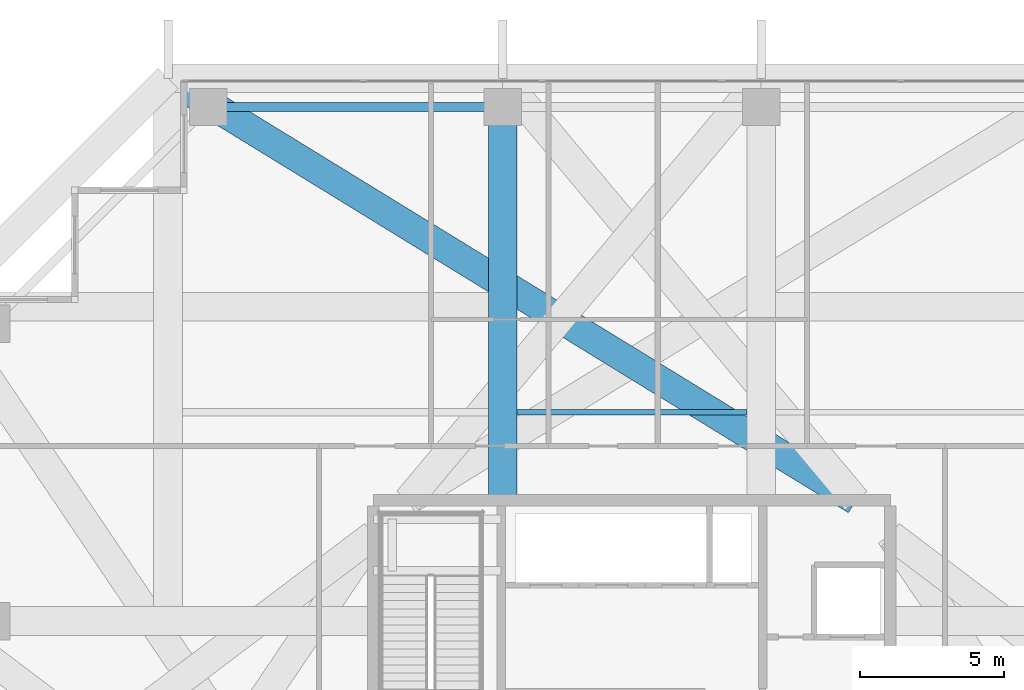
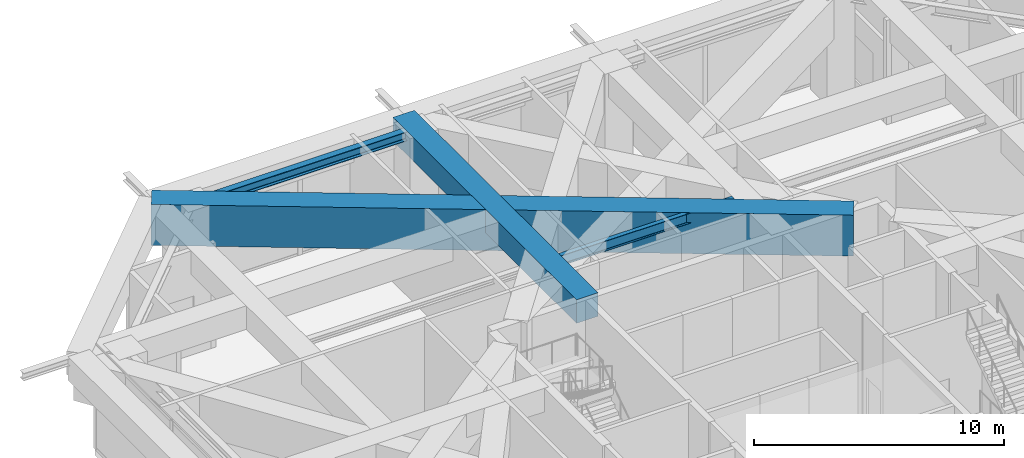
# One storey, part 21 of 38: 4 beams.
"""IFC4 building model written with IfcOpenShell, lengths in metres."""

import ifcopenshell
import ifcopenshell.guid

model = None  # the IFC model being written
_history = None  # IfcOwnerHistory: only IFC2X3 demands one
_inside = {}  # id of a spatial element -> (the spatial element, [elements in it])
_under = {}  # id of a project, library or spatial element -> (it, [spatial elements below it])
_declared = {}  # id of a project -> (the project, [libraries it declares])
_typed = {}  # id of a type object -> (the type object, [elements of that type])
_made_of = {}  # id of a material, layer set ... -> (it, [elements and type objects made of it])


def new_model(schema):
    """Start an empty IFC model of exactly this schema.

    Asked for "IFC4X3", IfcOpenShell would pick the latest addendum, in which some entities
    have other attributes; the version numbers below select the first issue.
    IFC2X3 requires an IfcOwnerHistory on every rooted entity: one is made here for all.
    """
    global model, _history
    if schema == "IFC4X3":
        model = ifcopenshell.file(schema_version=(4, 3, 0, 0))
    else:
        model = ifcopenshell.file(schema=schema)
    _inside.clear()
    _under.clear()
    _declared.clear()
    _typed.clear()
    _made_of.clear()
    _history = None
    if model.schema == "IFC2X3":
        org = make("IfcOrganization", Name="unknown")
        user = make(
            "IfcPersonAndOrganization",
            ThePerson=make("IfcPerson", FamilyName="unknown"),
            TheOrganization=org,
        )
        app = make(
            "IfcApplication",
            ApplicationDeveloper=org,
            Version="unknown",
            ApplicationFullName="unknown",
            ApplicationIdentifier="unknown",
        )
        _history = make(
            "IfcOwnerHistory",
            OwningUser=user,
            OwningApplication=app,
            ChangeAction="ADDED",
            CreationDate=0,
        )
    return model


def make(cls, **values):
    """One entity of the class cls with the attributes given. An attribute that is None is left unset."""
    return model.create_entity(
        cls, **{name: value for name, value in values.items() if value is not None}
    )


def rooted(cls, **values):
    """An entity with a GlobalId (a new one), such as an element, a storey or a relation."""
    return make(cls, GlobalId=ifcopenshell.guid.new(), OwnerHistory=_history, **values)


def si_unit(unit_type, name, prefix=None):
    """IfcSIUnit, for example si_unit("LENGTHUNIT", "METRE", prefix="MILLI")."""
    return make("IfcSIUnit", UnitType=unit_type, Prefix=prefix, Name=name)


def assignment(units):
    """IfcUnitAssignment: the units of a project."""
    return None if units is None else make("IfcUnitAssignment", Units=units)


def point(xyz):
    """IfcCartesianPoint."""
    return None if xyz is None else make("IfcCartesianPoint", Coordinates=xyz)


def direction(xyz):
    """IfcDirection."""
    return None if xyz is None else make("IfcDirection", DirectionRatios=xyz)


def frame(location, z_axis=None, x_axis=None):
    """IfcAxis2Placement3D, a coordinate frame: its origin and axes. An axis left out is left unset."""
    return make(
        "IfcAxis2Placement3D",
        Location=point(location),
        Axis=direction(z_axis),
        RefDirection=direction(x_axis),
    )


def frame_2d(location, x_axis=None):
    """IfcAxis2Placement2D, a coordinate frame in the plane: its origin and x axis."""
    return make(
        "IfcAxis2Placement2D", Location=point(location), RefDirection=direction(x_axis)
    )


def origin():
    """The frame at (0, 0, 0) with its axes left unset."""
    return frame((0.0, 0.0, 0.0))


def origin_2d():
    """The frame at (0, 0) in the plane with its x axis left unset."""
    return frame_2d((0.0, 0.0))


def place(relative_to, where):
    """IfcLocalPlacement: puts the frame where relative to a parent placement (None: the world)."""
    return make(
        "IfcLocalPlacement", PlacementRelTo=relative_to, RelativePlacement=where
    )


def context(
    kind, dimensions, precision=None, world=None, true_north=None, identifier=None
):
    """IfcGeometricRepresentationContext, for example the 3D "Model" context."""
    return make(
        "IfcGeometricRepresentationContext",
        ContextIdentifier=identifier,
        ContextType=kind,
        CoordinateSpaceDimension=dimensions,
        Precision=precision,
        WorldCoordinateSystem=world,
        TrueNorth=true_north,
    )


def subcontext(parent, identifier, kind, view, scale=None):
    """IfcGeometricRepresentationSubContext, for example "Body" below "Model"."""
    return make(
        "IfcGeometricRepresentationSubContext",
        ContextIdentifier=identifier,
        ContextType=kind,
        ParentContext=parent,
        TargetScale=scale,
        TargetView=view,
    )


def project(units=None, contexts=None):
    """IfcProject with its units and contexts."""
    return rooted(
        "IfcProject",
        Name="project",
        RepresentationContexts=contexts,
        UnitsInContext=assignment(units),
    )


def spatial(cls, under=None, at=None, **own):
    """A site, building, storey or space (cls), placed at a placement, below another one or the project."""
    s = rooted(cls, ObjectPlacement=at, **own)
    if under is not None:
        _under.setdefault(under.id(), (under, []))[1].append(s)
    return s


def profile(cls, at=None, kind="AREA", **sizes):
    """A parametric profile (cls). Its sizes go by their IFC names, for example OverallWidth=200.0."""
    return make(cls, ProfileType=kind, Position=at, **sizes)


def rectangle(**sizes):
    """IfcRectangleProfileDef."""
    return profile("IfcRectangleProfileDef", **sizes)


def i_section(**sizes):
    """IfcIShapeProfileDef."""
    return profile("IfcIShapeProfileDef", **sizes)


def extrude(swept, where, along, depth):
    """IfcExtrudedAreaSolid: the profile swept, set in the frame where, extruded along a direction by depth."""
    return make(
        "IfcExtrudedAreaSolid",
        SweptArea=swept,
        Position=where,
        ExtrudedDirection=direction(along),
        Depth=depth,
    )


def shape(context_of_items, identifier, shape_type, items):
    """IfcShapeRepresentation: the items that make up one representation, for example the "Body"."""
    return make(
        "IfcShapeRepresentation",
        ContextOfItems=context_of_items,
        RepresentationIdentifier=identifier,
        RepresentationType=shape_type,
        Items=items,
    )


def source(mapping_origin, context_of_items, identifier, shape_type, items):
    """IfcRepresentationMap: a shape defined once, which mapped items show again and again."""
    return make(
        "IfcRepresentationMap",
        MappingOrigin=mapping_origin,
        MappedRepresentation=shape(context_of_items, identifier, shape_type, items),
    )


def transform(
    local_origin,
    x_axis=None,
    y_axis=None,
    z_axis=None,
    scale=None,
    scale2=None,
    scale3=None,
    uniform=True,
):
    """IfcCartesianTransformationOperator3D, or its non-uniform kind. x_axis, y_axis, z_axis: its Axis1, 2, 3."""
    if uniform:
        return make(
            "IfcCartesianTransformationOperator3D",
            Axis1=direction(x_axis),
            Axis2=direction(y_axis),
            LocalOrigin=point(local_origin),
            Scale=scale,
            Axis3=direction(z_axis),
        )
    return make(
        "IfcCartesianTransformationOperator3DnonUniform",
        Axis1=direction(x_axis),
        Axis2=direction(y_axis),
        LocalOrigin=point(local_origin),
        Scale=scale,
        Axis3=direction(z_axis),
        Scale2=scale2,
        Scale3=scale3,
    )


def mapped(mapping_source, mapping_target):
    """IfcMappedItem: shows the shape of a source again, moved by a transform."""
    return make(
        "IfcMappedItem", MappingSource=mapping_source, MappingTarget=mapping_target
    )


def material(Name=None, Category=None):
    """IfcMaterial."""
    return make("IfcMaterial", Name=Name, Category=Category)


def material_profile(
    of_material, cross_section, Name=None, Category=None, Priority=None
):
    """IfcMaterialProfile: a cross section and its material."""
    return make(
        "IfcMaterialProfile",
        Name=Name,
        Material=of_material,
        Profile=cross_section,
        Priority=Priority,
        Category=Category,
    )


def profile_set(profiles, Name=None, composite=None):
    """IfcMaterialProfileSet."""
    return make(
        "IfcMaterialProfileSet",
        Name=Name,
        MaterialProfiles=profiles,
        CompositeProfile=composite,
    )


def made_of(thing, what):
    """Note that an element or type object is made of a material, layer set ...; save() writes the relation."""
    if what is not None:
        _made_of.setdefault(what.id(), (what, []))[1].append(thing)
    return thing


def type_object(cls, material=None, **own):
    """A type object (cls), such as IfcWallType, which elements share."""
    return made_of(rooted(cls, **own), material)


def element(
    cls,
    number,
    at=None,
    inside=None,
    cuts=None,
    type_object=None,
    material=None,
    context=None,
    identifier="Body",
    shape_type=None,
    held_by="IfcProductDefinitionShape",
    body=None,
    shapes=None,
    **own,
):
    """One element of the class cls, such as IfcWall. Its Tag is "e" and its number.

    at: its placement. inside: the storey or other place that contains it. cuts: it is an
    opening in that element (IfcRelVoidsElement). A single representation is given by context,
    identifier, shape_type and body (its items); several are given by shapes. held_by: the class
    of the entity that holds the representations. save() writes the other relations.
    """
    e = rooted(cls, Tag="e%d" % number, ObjectPlacement=at, **own)
    if body is not None:
        shapes = [shape(context, identifier, shape_type, body)]
    if shapes is not None:
        e.Representation = make(held_by, Representations=shapes)
    if inside is not None:
        _inside.setdefault(inside.id(), (inside, []))[1].append(e)
    if cuts is not None:
        rooted(
            "IfcRelVoidsElement", RelatingBuildingElement=cuts, RelatedOpeningElement=e
        )
    if type_object is not None:
        _typed.setdefault(type_object.id(), (type_object, []))[1].append(e)
    return made_of(e, material)


def aggregate(whole, parts):
    """IfcRelAggregates: a whole, such as a stair, and the parts it consists of."""
    return rooted("IfcRelAggregates", RelatingObject=whole, RelatedObjects=parts)


def save(model, path):
    """Write the relations noted so far, then the file.

    IfcRelAggregates (storeys below a building ...), IfcRelContainedInSpatialStructure (elements
    in a storey), IfcRelDefinesByType, IfcRelAssociatesMaterial and IfcRelDeclares: one each for
    every whole, place, type object, material and project.
    """
    for whole, parts in _under.values():
        aggregate(whole, parts)
    for where, things in _inside.values():
        rooted(
            "IfcRelContainedInSpatialStructure",
            RelatedElements=things,
            RelatingStructure=where,
        )
    for kind, things in _typed.values():
        rooted("IfcRelDefinesByType", RelatedObjects=things, RelatingType=kind)
    for what, things in _made_of.values():
        rooted("IfcRelAssociatesMaterial", RelatedObjects=things, RelatingMaterial=what)
    for by, libraries in _declared.values():
        rooted("IfcRelDeclares", RelatingContext=by, RelatedDefinitions=libraries)
    model.write(path)


model = new_model("IFC4")

# Units and contexts
model_context = context("Model", 3, precision=1e-05, world=origin(), true_north=direction((0.0, 1.0)))
body_context = subcontext(model_context, "Body", "Model", "MODEL_VIEW")
ifc_project = project(units=[si_unit("LENGTHUNIT", "METRE"), si_unit("AREAUNIT", "SQUARE_METRE"), si_unit("VOLUMEUNIT", "CUBIC_METRE"), si_unit("PLANEANGLEUNIT", "RADIAN"), si_unit("MASSUNIT", "GRAM", prefix="KILO")], contexts=[model_context])

# Site, building, storey
site_placement = place(None, origin())
site = spatial("IfcSite", under=ifc_project, at=site_placement, CompositionType="ELEMENT")
building_placement = place(site_placement, origin())
building = spatial("IfcBuilding", under=site, at=building_placement, Name="Serunith Strait Residences", CompositionType="ELEMENT")
storey_placement = place(building_placement, frame((0.0, 0.0, 204.89990234375)))
storey = spatial("IfcBuildingStorey", under=building, at=storey_placement, Name="L51", CompositionType="ELEMENT", Elevation=204.89990234375)

# Beams
ifc_material_1 = material(Name="Concrete C80/95", Category="concrete")
ifc_material_profile_1 = material_profile(ifc_material_1, rectangle(XDim=1.0, YDim=1.14990234375, at=origin_2d()), Name="RC 1000x1150")
ifc_profile_set_1 = profile_set([ifc_material_profile_1], Name="Concrete C80/95")
beam_type_1 = type_object("IfcBeamType", Name="BM-XFER-1000x1150", PredefinedType="BEAM", material=ifc_profile_set_1)
shared_shape_1 = source(origin(), body_context, "Body", "SweptSolid", [
    extrude(rectangle(XDim=1.0, YDim=1.14990234375, at=origin_2d()), origin(), (0.0, 0.0, 1.0), 14.699951171875),
])
beam_1_placement = place(storey_placement, frame((27.89990234375, 33.60009765625, 4.53515625), z_axis=(0.0, 1.0, 0.0), x_axis=(-1.0, 0.0, 0.0)))
element("IfcBeam", 1, at=beam_1_placement, inside=storey, type_object=beam_type_1, Name="L51 Primary Floor Girder TC-N2", PredefinedType="BEAM", context=body_context, shape_type="MappedRepresentation", body=[
    mapped(shared_shape_1, transform((0.0, 0.0, 0.0), scale=1.0)),
])
ifc_material_2 = material(Name="Steel S355J2", Category="steel")
ifc_material_profile_2 = material_profile(ifc_material_2, i_section(OverallWidth=0.300048828125, OverallDepth=0.449951171875, WebThickness=0.013916015625, FlangeThickness=0.02587890625, FilletRadius=0.027099609375, at=origin_2d()), Name="HEB 450")
ifc_profile_set_2 = profile_set([ifc_material_profile_2], Name="Steel S355J2")
beam_type_2 = type_object("IfcBeamType", Name="BM-HEB450", PredefinedType="BEAM", material=ifc_profile_set_2)
shared_shape_2 = source(origin(), body_context, "Body", "SweptSolid", [
    extrude(i_section(OverallWidth=0.300048828125, OverallDepth=0.449951171875, WebThickness=0.013916015625, FlangeThickness=0.02587890625, FilletRadius=0.027099609375, at=origin_2d()), origin(), (0.0, 0.0, 1.0), 10.25),
])
beam_2_placement = place(storey_placement, frame((27.89990234375, 47.300048828125, 4.882080078125), z_axis=(-1.0, 0.0, 0.0), x_axis=(0.0, -1.0, 0.0)))
element("IfcBeam", 2, at=beam_2_placement, inside=storey, type_object=beam_type_2, Name="L51 Perimeter Ring Beam 11", PredefinedType="BEAM", context=body_context, shape_type="MappedRepresentation", body=[
    mapped(shared_shape_2, transform((0.0, 0.0, 0.0), scale=1.0)),
])
ifc_material_profile_3 = material_profile(ifc_material_1, rectangle(XDim=1.0, YDim=2.0, at=origin_2d()), Name="RC 1000x2000")
ifc_profile_set_3 = profile_set([ifc_material_profile_3], Name="Concrete C80/95")
beam_type_3 = type_object("IfcBeamType", Name="BM-XFER-1000x2000", PredefinedType="BEAM", material=ifc_profile_set_3)
shared_shape_3 = source(origin(), body_context, "Body", "SweptSolid", [
    extrude(rectangle(XDim=1.0, YDim=2.0, at=origin_2d()), origin(), (0.0, 0.0, 1.0), 28.101318359375),
])
beam_3_placement = place(storey_placement, frame((40.199951171875, 33.60009765625, 4.110107421875), z_axis=(-0.852268944261, 0.523103858377, 0.0), x_axis=(-0.523103858377, -0.852268944261, 0.0)))
element("IfcBeam", 3, at=beam_3_placement, inside=storey, type_object=beam_type_3, Name="L51 Flare Transfer Girder TC-N1", PredefinedType="BEAM", context=body_context, shape_type="MappedRepresentation", body=[
    mapped(shared_shape_3, transform((0.0, 0.0, 0.0), scale=1.0)),
])
ifc_material_profile_4 = material_profile(ifc_material_2, i_section(OverallWidth=0.199951171875, OverallDepth=0.5, WebThickness=0.01025390625, FlangeThickness=0.01611328125, FilletRadius=0.02099609375, at=origin_2d()), Name="IPE 500")
ifc_profile_set_4 = profile_set([ifc_material_profile_4], Name="Steel S355J2")
beam_type_4 = type_object("IfcBeamType", Name="BM-IPE500", PredefinedType="JOIST", material=ifc_profile_set_4)
shared_shape_4 = source(origin(), body_context, "Body", "SweptSolid", [
    extrude(i_section(OverallWidth=0.199951171875, OverallDepth=0.5, WebThickness=0.01025390625, FlangeThickness=0.01611328125, FilletRadius=0.02099609375, at=origin_2d()), origin(), (0.0, 0.0, 1.0), 8.0),
])
beam_4_placement = place(storey_placement, frame((28.39990234375, 36.675048828125, 4.857177734375), z_axis=(1.0, 0.0, 0.0), x_axis=(0.0, 1.0, 0.0)))
element("IfcBeam", 4, at=beam_4_placement, inside=storey, type_object=beam_type_4, Name="L51 Composite Floor Joist 05", PredefinedType="JOIST", context=body_context, shape_type="MappedRepresentation", body=[
    mapped(shared_shape_4, transform((0.0, 0.0, 0.0), scale=1.0)),
])

save(model, "model.ifc")
